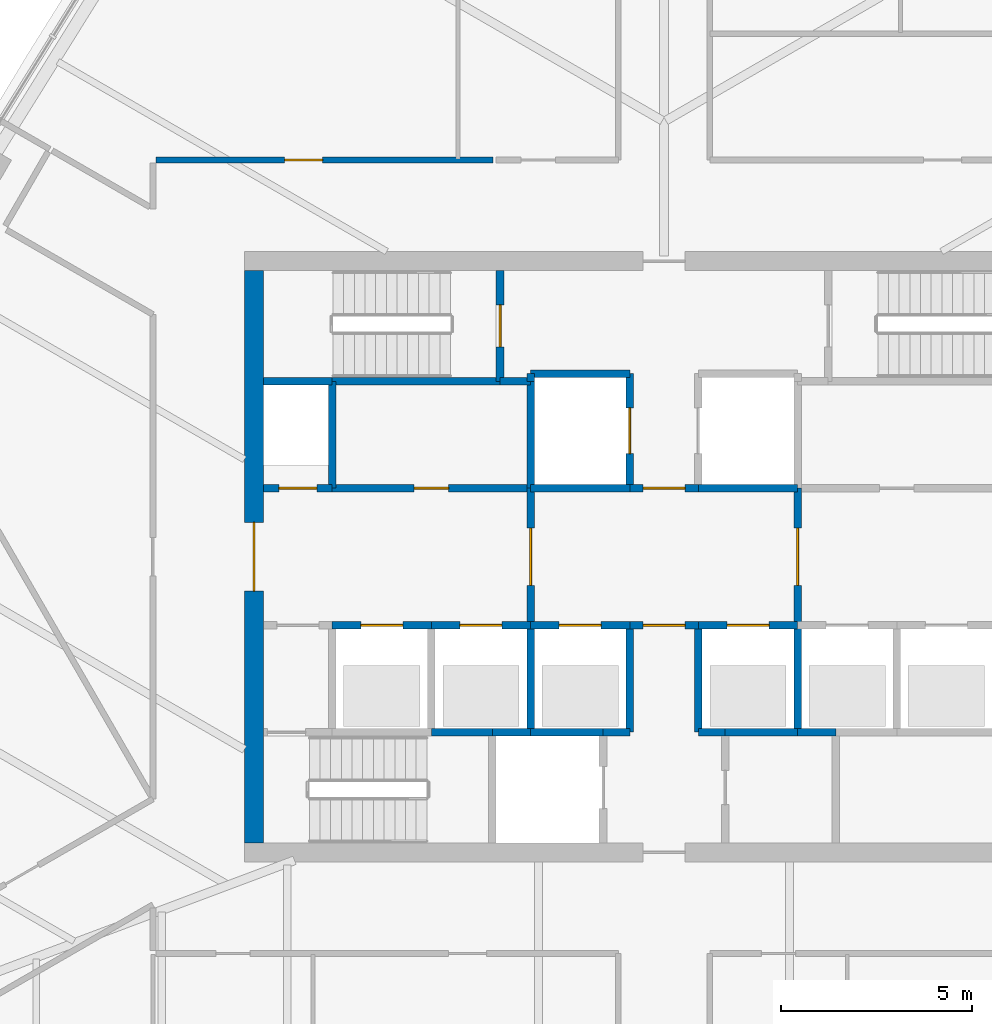
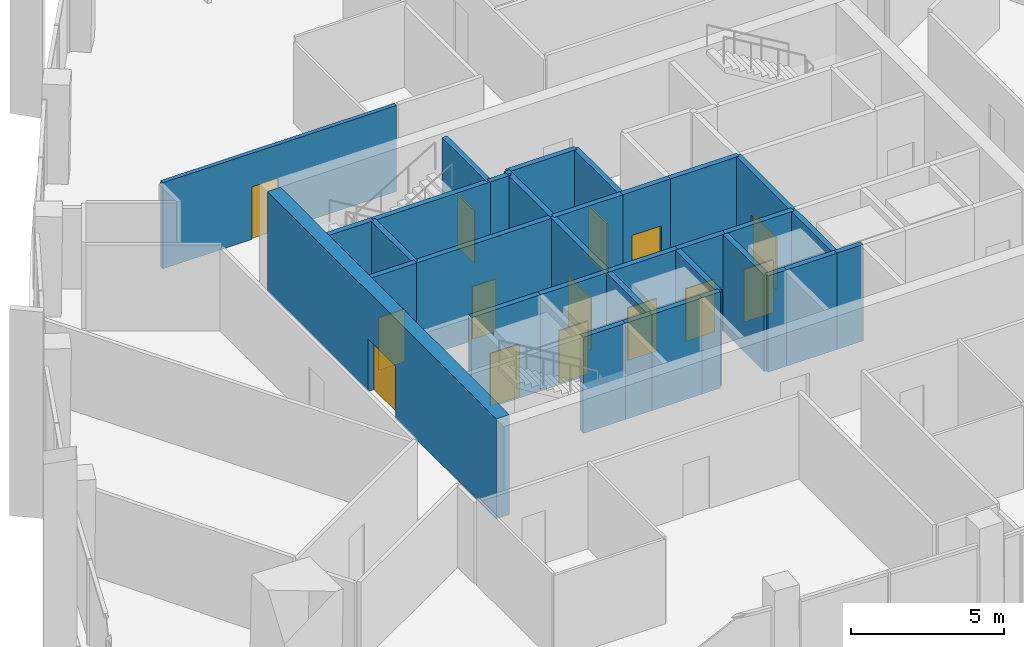
# One storey, part 9 of 18: 34 walls, 14 doors, 14 openings.
"""IFC4 building model written with IfcOpenShell, lengths in metres."""

from ifc_helpers import new_model, si_unit, direction, frame, frame_2d, origin, place, context, subcontext, project, spatial, rectangle, extrude, material, layer, layer_set, type_object, element, fill, save


model = new_model("IFC4")

# Units and contexts
model_context = context("Model", 3, precision=1e-05, world=origin(), true_north=direction((0.0, 1.0)))
body_context = subcontext(model_context, "Body", "Model", "MODEL_VIEW")
ifc_project = project(units=[si_unit("LENGTHUNIT", "METRE"), si_unit("AREAUNIT", "SQUARE_METRE"), si_unit("VOLUMEUNIT", "CUBIC_METRE"), si_unit("PLANEANGLEUNIT", "RADIAN"), si_unit("MASSUNIT", "GRAM", prefix="KILO")], contexts=[model_context])

# Site, building, storey
site_placement = place(None, origin())
site = spatial("IfcSite", under=ifc_project, at=site_placement, CompositionType="ELEMENT")
building_placement = place(site_placement, origin())
building = spatial("IfcBuilding", under=site, at=building_placement, Name="Sierra Prisma Convention Tower", CompositionType="ELEMENT")
storey_placement = place(building_placement, frame((0.0, 0.0, 263.0)))
storey = spatial("IfcBuildingStorey", under=building, at=storey_placement, Name="L59", CompositionType="ELEMENT", Elevation=263.0)

# Wall, opening, door
ifc_material_1 = material(Name="Concrete C30/37", Category="concrete")
ifc_layer_1 = layer(ifc_material_1, 0.199951171875)
ifc_layer_set_1 = layer_set([ifc_layer_1], Name="Core wall RC 200 C30/37")
wall_type_1 = type_object("IfcWallType", Name="Core wall RC 200 C30/37", PredefinedType="SOLIDWALL", material=ifc_layer_set_1)
wall_1_placement = place(storey_placement, frame((-8.699951171875, 1.800048828125, 0.0), z_axis=(0.0, 0.0, 1.0), x_axis=(-1.0, 0.0, 0.0)))
wall_1 = element("IfcWall", 1, at=wall_1_placement, inside=storey, type_object=wall_type_1, Name="Core wall L59 3", PredefinedType="SOLIDWALL", context=body_context, shape_type="SweptSolid", body=[
    extrude(rectangle(XDim=1.800048828125, YDim=0.199951171875, at=frame_2d((0.89990234375, 0.0))), origin(), (0.0, 0.0, 1.0), 3.85009765625),
])
opening_1_placement = place(wall_1_placement, frame((0.39990234375, 0.0, 0.0)))
opening_1 = element("IfcOpeningElement", 2, at=opening_1_placement, cuts=wall_1, Name="Opening L59-D015", PredefinedType="OPENING", context=body_context, shape_type="SweptSolid", body=[
    extrude(rectangle(XDim=1.0, YDim=2.10009765625, at=frame_2d((0.5, 1.050048828125))), frame((0.0, 0.10009765625, 0.0), z_axis=(0.0, -1.0, 0.0), x_axis=(1.0, 0.0, 0.0)), (0.0, 0.0, 1.0), 0.199951171875),
])
ifc_material_2 = material(Name="Steel fire door leaf", Category="steel")
door_type_1 = type_object("IfcDoorType", Name="Door 1000x2100 FD60S", OperationType="SINGLE_SWING_LEFT", PredefinedType="DOOR", material=ifc_material_2)
door_1_placement = place(opening_1_placement, origin())
door_1 = element("IfcDoor", 3, at=door_1_placement, inside=storey, type_object=door_type_1, Name="Door L59 29", OperationType="SINGLE_SWING_LEFT", OverallHeight=2.10009765625, OverallWidth=1.0, PredefinedType="DOOR", context=body_context, shape_type="SweptSolid", body=[
    extrude(rectangle(XDim=1.0, YDim=2.10009765625, at=frame_2d((0.5, 1.050048828125))), frame((0.0, 0.02490234375, 0.0), z_axis=(0.0, -1.0, 0.0), x_axis=(1.0, 0.0, 0.0)), (0.0, 0.0, 1.0), 0.050048828125),
])
fill(opening_1, door_1)

# Wall
wall_2_placement = place(storey_placement, frame((-8.699951171875, 4.60009765625, 0.0), z_axis=(0.0, 0.0, 1.0), x_axis=(-1.0, 0.0, 0.0)))
element("IfcWall", 4, at=wall_2_placement, inside=storey, type_object=wall_type_1, Name="Core wall L59 4", PredefinedType="SOLIDWALL", context=body_context, shape_type="SweptSolid", body=[
    extrude(rectangle(XDim=1.800048828125, YDim=0.199951171875, at=frame_2d((0.89990234375, 0.0))), origin(), (0.0, 0.0, 1.0), 3.85009765625),
])

# Wall, opening, door
wall_3_placement = place(storey_placement, frame((-8.699951171875, -1.800048828125, 0.0), z_axis=(0.0, 0.0, 1.0), x_axis=(1.0, 0.0, 0.0)))
wall_3 = element("IfcWall", 5, at=wall_3_placement, inside=storey, type_object=wall_type_1, Name="Core wall L59 7", PredefinedType="SOLIDWALL", context=body_context, shape_type="SweptSolid", body=[
    extrude(rectangle(XDim=2.599853515625, YDim=0.199951171875, at=frame_2d((1.2998046875, 0.0))), origin(), (0.0, 0.0, 1.0), 3.85009765625),
])
opening_2_placement = place(wall_3_placement, frame((0.75, 0.0, 0.0)))
opening_2 = element("IfcOpeningElement", 6, at=opening_2_placement, cuts=wall_3, Name="Opening L59-D001", PredefinedType="OPENING", context=body_context, shape_type="SweptSolid", body=[
    extrude(rectangle(XDim=1.10009765625, YDim=2.10009765625, at=frame_2d((0.550048828125, 1.050048828125))), frame((0.0, 0.10009765625, 0.0), z_axis=(0.0, -1.0, 0.0), x_axis=(1.0, 0.0, 0.0)), (0.0, 0.0, 1.0), 0.199951171875),
])
ifc_material_3 = material(Name="Steel fire door leaf", Category="steel")
door_type_2 = type_object("IfcDoorType", Name="Door 1100x2100 EI 90 sliding lift landing", OperationType="SLIDING_TO_LEFT", PredefinedType="DOOR", material=ifc_material_3)
door_2_placement = place(opening_2_placement, origin())
door_2 = element("IfcDoor", 7, at=door_2_placement, inside=storey, type_object=door_type_2, Name="Door L59 15", OperationType="SLIDING_TO_RIGHT", OverallHeight=2.10009765625, OverallWidth=1.10009765625, PredefinedType="DOOR", context=body_context, shape_type="SweptSolid", body=[
    extrude(rectangle(XDim=1.10009765625, YDim=2.10009765625, at=frame_2d((0.550048828125, 1.050048828125))), frame((0.0, 0.02490234375, 0.0), z_axis=(0.0, -1.0, 0.0), x_axis=(1.0, 0.0, 0.0)), (0.0, 0.0, 1.0), 0.050048828125),
])
fill(opening_2, door_2)

wall_4_placement = place(storey_placement, frame((-8.699951171875, 1.800048828125, 0.0), z_axis=(0.0, 0.0, 1.0), x_axis=(1.0, 0.0, 0.0)))
wall_4 = element("IfcWall", 8, at=wall_4_placement, inside=storey, type_object=wall_type_1, Name="Core wall L59 8", PredefinedType="SOLIDWALL", context=body_context, shape_type="SweptSolid", body=[
    extrude(rectangle(XDim=5.199951171875, YDim=0.199951171875, at=frame_2d((2.60009765625, 0.0))), origin(), (0.0, 0.0, 1.0), 3.85009765625),
])
opening_3_placement = place(wall_4_placement, frame((2.14990234375, 0.0, 0.0)))
opening_3 = element("IfcOpeningElement", 9, at=opening_3_placement, cuts=wall_4, Name="Opening L59-D021", PredefinedType="OPENING", context=body_context, shape_type="SweptSolid", body=[
    extrude(rectangle(XDim=0.89990234375, YDim=2.10009765625, at=frame_2d((0.449951171875, 1.050048828125))), frame((0.0, 0.10009765625, 0.0), z_axis=(0.0, -1.0, 0.0), x_axis=(1.0, 0.0, 0.0)), (0.0, 0.0, 1.0), 0.199951171875),
])
ifc_material_4 = material(Name="Steel fire door leaf", Category="steel")
door_type_3 = type_object("IfcDoorType", Name="Door 900x2100 FD30S", OperationType="SINGLE_SWING_LEFT", PredefinedType="DOOR", material=ifc_material_4)
door_3_placement = place(opening_3_placement, origin())
door_3 = element("IfcDoor", 10, at=door_3_placement, inside=storey, type_object=door_type_3, Name="Door L59 35", OperationType="SINGLE_SWING_RIGHT", OverallHeight=2.10009765625, OverallWidth=0.89990234375, PredefinedType="DOOR", context=body_context, shape_type="SweptSolid", body=[
    extrude(rectangle(XDim=0.89990234375, YDim=2.10009765625, at=frame_2d((0.449951171875, 1.050048828125))), frame((0.0, 0.02490234375, 0.0), z_axis=(0.0, -1.0, 0.0), x_axis=(1.0, 0.0, 0.0)), (0.0, 0.0, 1.0), 0.050048828125),
])
fill(opening_3, door_3)

# Walls
wall_5_placement = place(storey_placement, frame((-8.699951171875, 4.60009765625, 0.0), z_axis=(0.0, 0.0, 1.0), x_axis=(0.0, -1.0, 0.0)))
element("IfcWall", 11, at=wall_5_placement, inside=storey, type_object=wall_type_1, Name="Core wall L59 9", PredefinedType="SOLIDWALL", context=body_context, shape_type="SweptSolid", body=[
    extrude(rectangle(XDim=2.800048828125, YDim=0.199951171875, at=frame_2d((1.39990234375, 0.0))), origin(), (0.0, 0.0, 1.0), 3.85009765625),
])
wall_6_placement = place(storey_placement, frame((-4.300048828125, 4.60009765625, 0.0), z_axis=(0.0, 0.0, 1.0), x_axis=(-1.0, 0.0, 0.0)))
element("IfcWall", 12, at=wall_6_placement, inside=storey, type_object=wall_type_1, Name="Core wall L59 10", PredefinedType="SOLIDWALL", context=body_context, shape_type="SweptSolid", body=[
    extrude(rectangle(XDim=4.39990234375, YDim=0.199951171875, at=frame_2d((2.199951171875, 0.0))), origin(), (0.0, 0.0, 1.0), 3.85009765625),
])
wall_7_placement = place(storey_placement, frame((-6.10009765625, -4.60009765625, 0.0), z_axis=(0.0, 0.0, 1.0), x_axis=(1.0, 0.0, 0.0)))
element("IfcWall", 13, at=wall_7_placement, inside=storey, type_object=wall_type_1, Name="Core wall L59 11", PredefinedType="SOLIDWALL", context=body_context, shape_type="SweptSolid", body=[
    extrude(rectangle(XDim=1.60009765625, YDim=0.199951171875, at=frame_2d((0.800048828125, 0.0))), origin(), (0.0, 0.0, 1.0), 3.85009765625),
])

# Wall, opening, door
wall_8_placement = place(storey_placement, frame((-6.10009765625, -1.800048828125, 0.0), z_axis=(0.0, 0.0, 1.0), x_axis=(1.0, 0.0, 0.0)))
wall_8 = element("IfcWall", 14, at=wall_8_placement, inside=storey, type_object=wall_type_1, Name="Core wall L59 13", PredefinedType="SOLIDWALL", context=body_context, shape_type="SweptSolid", body=[
    extrude(rectangle(XDim=2.60009765625, YDim=0.199951171875, at=frame_2d((1.300048828125, 0.0))), origin(), (0.0, 0.0, 1.0), 3.85009765625),
])
opening_4_placement = place(wall_8_placement, frame((0.75, 0.0, 0.0)))
opening_4 = element("IfcOpeningElement", 15, at=opening_4_placement, cuts=wall_8, Name="Opening L59-D002", PredefinedType="OPENING", context=body_context, shape_type="SweptSolid", body=[
    extrude(rectangle(XDim=1.10009765625, YDim=2.10009765625, at=frame_2d((0.550048828125, 1.050048828125))), frame((0.0, 0.10009765625, 0.0), z_axis=(0.0, -1.0, 0.0), x_axis=(1.0, 0.0, 0.0)), (0.0, 0.0, 1.0), 0.199951171875),
])
door_4_placement = place(opening_4_placement, origin())
door_4 = element("IfcDoor", 16, at=door_4_placement, inside=storey, type_object=door_type_2, Name="Door L59 16", OperationType="SLIDING_TO_RIGHT", OverallHeight=2.10009765625, OverallWidth=1.10009765625, PredefinedType="DOOR", context=body_context, shape_type="SweptSolid", body=[
    extrude(rectangle(XDim=1.10009765625, YDim=2.10009765625, at=frame_2d((0.550048828125, 1.050048828125))), frame((0.0, 0.02490234375, 0.0), z_axis=(0.0, -1.0, 0.0), x_axis=(1.0, 0.0, 0.0)), (0.0, 0.0, 1.0), 0.050048828125),
])
fill(opening_4, door_4)

# Walls
wall_9_placement = place(storey_placement, frame((-4.5, -4.60009765625, 0.0), z_axis=(0.0, 0.0, 1.0), x_axis=(1.0, 0.0, 0.0)))
element("IfcWall", 17, at=wall_9_placement, inside=storey, type_object=wall_type_1, Name="Core wall L59 15", PredefinedType="SOLIDWALL", context=body_context, shape_type="SweptSolid", body=[
    extrude(rectangle(XDim=1.0, YDim=0.199951171875, at=frame_2d((0.5, 0.0))), origin(), (0.0, 0.0, 1.0), 3.85009765625),
])
wall_10_placement = place(storey_placement, frame((-3.5, 4.60009765625, 0.0), z_axis=(0.0, 0.0, 1.0), x_axis=(-1.0, 0.0, 0.0)))
element("IfcWall", 18, at=wall_10_placement, inside=storey, type_object=wall_type_1, Name="Core wall L59 16", PredefinedType="SOLIDWALL", context=body_context, shape_type="SweptSolid", body=[
    extrude(rectangle(XDim=0.800048828125, YDim=0.199951171875, at=frame_2d((0.39990234375, 0.0))), origin(), (0.0, 0.0, 1.0), 3.85009765625),
])

# Wall, opening, door
wall_11_placement = place(storey_placement, frame((-4.300048828125, 4.60009765625, 0.0), z_axis=(0.0, 0.0, 1.0), x_axis=(0.0, 1.0, 0.0)))
wall_11 = element("IfcWall", 19, at=wall_11_placement, inside=storey, type_object=wall_type_1, Name="Core wall L59 17", PredefinedType="SOLIDWALL", context=body_context, shape_type="SweptSolid", body=[
    extrude(rectangle(XDim=2.89990234375, YDim=0.199951171875, at=frame_2d((1.449951171875, 0.0))), origin(), (0.0, 0.0, 1.0), 3.85009765625),
])
opening_5_placement = place(wall_11_placement, frame((0.89990234375, 0.0, 0.0)))
opening_5 = element("IfcOpeningElement", 20, at=opening_5_placement, cuts=wall_11, Name="Opening L59-D018", PredefinedType="OPENING", context=body_context, shape_type="SweptSolid", body=[
    extrude(rectangle(XDim=1.10009765625, YDim=2.10009765625, at=frame_2d((0.550048828125, 1.050048828125))), frame((0.0, 0.10009765625, 0.0), z_axis=(0.0, -1.0, 0.0), x_axis=(1.0, 0.0, 0.0)), (0.0, 0.0, 1.0), 0.199951171875),
])
ifc_material_5 = material(Name="Steel fire door leaf", Category="steel")
door_type_4 = type_object("IfcDoorType", Name="Door 1100x2100 FD90S", OperationType="SINGLE_SWING_LEFT", PredefinedType="DOOR", material=ifc_material_5)
door_5_placement = place(opening_5_placement, origin())
door_5 = element("IfcDoor", 21, at=door_5_placement, inside=storey, type_object=door_type_4, Name="Door L59 32", OperationType="SINGLE_SWING_LEFT", OverallHeight=2.10009765625, OverallWidth=1.10009765625, PredefinedType="DOOR", context=body_context, shape_type="SweptSolid", body=[
    extrude(rectangle(XDim=1.10009765625, YDim=2.10009765625, at=frame_2d((0.550048828125, 1.050048828125))), frame((0.0, 0.02490234375, 0.0), z_axis=(0.0, -1.0, 0.0), x_axis=(1.0, 0.0, 0.0)), (0.0, 0.0, 1.0), 0.050048828125),
])
fill(opening_5, door_5)

# Walls
wall_12_placement = place(storey_placement, frame((-3.5, -4.60009765625, 0.0), z_axis=(0.0, 0.0, 1.0), x_axis=(1.0, 0.0, 0.0)))
element("IfcWall", 22, at=wall_12_placement, inside=storey, type_object=wall_type_1, Name="Core wall L59 18", PredefinedType="SOLIDWALL", context=body_context, shape_type="SweptSolid", body=[
    extrude(rectangle(XDim=1.89990234375, YDim=0.199951171875, at=frame_2d((0.949951171875, 0.0))), origin(), (0.0, 0.0, 1.0), 3.85009765625),
])
wall_13_placement = place(storey_placement, frame((-3.5, -4.60009765625, 0.0), z_axis=(0.0, 0.0, 1.0), x_axis=(0.0, 1.0, 0.0)))
element("IfcWall", 23, at=wall_13_placement, inside=storey, type_object=wall_type_1, Name="Core wall L59 19", PredefinedType="SOLIDWALL", context=body_context, shape_type="SweptSolid", body=[
    extrude(rectangle(XDim=2.800048828125, YDim=0.199951171875, at=frame_2d((1.39990234375, 0.0))), origin(), (0.0, 0.0, 1.0), 3.85009765625),
])

# Wall, opening, door
wall_14_placement = place(storey_placement, frame((-3.5, -1.800048828125, 0.0), z_axis=(0.0, 0.0, 1.0), x_axis=(1.0, 0.0, 0.0)))
wall_14 = element("IfcWall", 24, at=wall_14_placement, inside=storey, type_object=wall_type_1, Name="Core wall L59 20", PredefinedType="SOLIDWALL", context=body_context, shape_type="SweptSolid", body=[
    extrude(rectangle(XDim=2.60009765625, YDim=0.199951171875, at=frame_2d((1.300048828125, 0.0))), origin(), (0.0, 0.0, 1.0), 3.85009765625),
])
opening_6_placement = place(wall_14_placement, frame((0.75, 0.0, 0.0)))
opening_6 = element("IfcOpeningElement", 25, at=opening_6_placement, cuts=wall_14, Name="Opening L59-D003", PredefinedType="OPENING", context=body_context, shape_type="SweptSolid", body=[
    extrude(rectangle(XDim=1.10009765625, YDim=2.10009765625, at=frame_2d((0.550048828125, 1.050048828125))), frame((0.0, 0.10009765625, 0.0), z_axis=(0.0, -1.0, 0.0), x_axis=(1.0, 0.0, 0.0)), (0.0, 0.0, 1.0), 0.199951171875),
])
door_6_placement = place(opening_6_placement, origin())
door_6 = element("IfcDoor", 26, at=door_6_placement, inside=storey, type_object=door_type_2, Name="Door L59 17", OperationType="SLIDING_TO_LEFT", OverallHeight=2.10009765625, OverallWidth=1.10009765625, PredefinedType="DOOR", context=body_context, shape_type="SweptSolid", body=[
    extrude(rectangle(XDim=1.10009765625, YDim=2.10009765625, at=frame_2d((0.550048828125, 1.050048828125))), frame((0.0, 0.02490234375, 0.0), z_axis=(0.0, -1.0, 0.0), x_axis=(1.0, 0.0, 0.0)), (0.0, 0.0, 1.0), 0.050048828125),
])
fill(opening_6, door_6)

wall_15_placement = place(storey_placement, frame((-3.5, 1.800048828125, 0.0), z_axis=(0.0, 0.0, 1.0), x_axis=(0.0, -1.0, 0.0)))
wall_15 = element("IfcWall", 27, at=wall_15_placement, inside=storey, type_object=wall_type_1, Name="Core wall L59 21", PredefinedType="SOLIDWALL", context=body_context, shape_type="SweptSolid", body=[
    extrude(rectangle(XDim=3.60009765625, YDim=0.199951171875, at=frame_2d((1.800048828125, 0.0))), origin(), (0.0, 0.0, 1.0), 3.85009765625),
])
opening_7_placement = place(wall_15_placement, frame((1.050048828125, 0.0, 0.0)))
opening_7 = element("IfcOpeningElement", 28, at=opening_7_placement, cuts=wall_15, Name="Opening L59-D010", PredefinedType="OPENING", context=body_context, shape_type="SweptSolid", body=[
    extrude(rectangle(XDim=1.5, YDim=2.10009765625, at=frame_2d((0.75, 1.050048828125))), frame((0.0, 0.10009765625, 0.0), z_axis=(0.0, -1.0, 0.0), x_axis=(1.0, 0.0, 0.0)), (0.0, 0.0, 1.0), 0.199951171875),
])
ifc_material_6 = material(Name="Steel fire door leaf", Category="steel")
door_type_5 = type_object("IfcDoorType", Name="Door 1500x2100 FD30S", OperationType="DOUBLE_DOOR_SINGLE_SWING", PredefinedType="DOOR", material=ifc_material_6)
door_7_placement = place(opening_7_placement, origin())
door_7 = element("IfcDoor", 29, at=door_7_placement, inside=storey, type_object=door_type_5, Name="Door L59 24", OperationType="DOUBLE_DOOR_SINGLE_SWING", OverallHeight=2.10009765625, OverallWidth=1.5, PredefinedType="DOOR", context=body_context, shape_type="SweptSolid", body=[
    extrude(rectangle(XDim=1.5, YDim=2.10009765625, at=frame_2d((0.75, 1.050048828125))), frame((0.0, 0.02490234375, 0.0), z_axis=(0.0, -1.0, 0.0), x_axis=(1.0, 0.0, 0.0)), (0.0, 0.0, 1.0), 0.050048828125),
])
fill(opening_7, door_7)

# Walls
wall_16_placement = place(storey_placement, frame((-0.89990234375, 1.800048828125, 0.0), z_axis=(0.0, 0.0, 1.0), x_axis=(-1.0, 0.0, 0.0)))
element("IfcWall", 30, at=wall_16_placement, inside=storey, type_object=wall_type_1, Name="Core wall L59 22", PredefinedType="SOLIDWALL", context=body_context, shape_type="SweptSolid", body=[
    extrude(rectangle(XDim=2.60009765625, YDim=0.199951171875, at=frame_2d((1.300048828125, 0.0))), origin(), (0.0, 0.0, 1.0), 3.85009765625),
])
wall_17_placement = place(storey_placement, frame((-3.5, 1.800048828125, 0.0), z_axis=(0.0, 0.0, 1.0), x_axis=(0.0, 1.0, 0.0)))
element("IfcWall", 31, at=wall_17_placement, inside=storey, type_object=wall_type_1, Name="Core wall L59 23", PredefinedType="SOLIDWALL", context=body_context, shape_type="SweptSolid", body=[
    extrude(rectangle(XDim=2.800048828125, YDim=0.199951171875, at=frame_2d((1.39990234375, 0.0))), origin(), (0.0, 0.0, 1.0), 3.85009765625),
])

# Wall, opening, door
wall_18_placement = place(storey_placement, frame((-0.89990234375, 1.800048828125, 0.0), z_axis=(0.0, 0.0, 1.0), x_axis=(0.0, 1.0, 0.0)))
wall_18 = element("IfcWall", 32, at=wall_18_placement, inside=storey, type_object=wall_type_1, Name="Core wall L59 24", PredefinedType="SOLIDWALL", context=body_context, shape_type="SweptSolid", body=[
    extrude(rectangle(XDim=3.0, YDim=0.199951171875, at=frame_2d((1.5, 0.0))), origin(), (0.0, 0.0, 1.0), 3.85009765625),
])
opening_8_placement = place(wall_18_placement, frame((0.89990234375, 0.0, 0.0)))
opening_8 = element("IfcOpeningElement", 33, at=opening_8_placement, cuts=wall_18, Name="Opening L59-D007", PredefinedType="OPENING", context=body_context, shape_type="SweptSolid", body=[
    extrude(rectangle(XDim=1.199951171875, YDim=2.10009765625, at=frame_2d((0.60009765625, 1.050048828125))), frame((0.0, 0.10009765625, 0.0), z_axis=(0.0, -1.0, 0.0), x_axis=(1.0, 0.0, 0.0)), (0.0, 0.0, 1.0), 0.199951171875),
])
ifc_material_7 = material(Name="Steel fire door leaf", Category="steel")
door_type_6 = type_object("IfcDoorType", Name="Door 1200x2100 EI 90 sliding lift landing", OperationType="SLIDING_TO_LEFT", PredefinedType="DOOR", material=ifc_material_7)
door_8_placement = place(opening_8_placement, origin())
door_8 = element("IfcDoor", 34, at=door_8_placement, inside=storey, type_object=door_type_6, Name="Door L59 21", OperationType="SLIDING_TO_LEFT", OverallHeight=2.10009765625, OverallWidth=1.199951171875, PredefinedType="DOOR", context=body_context, shape_type="SweptSolid", body=[
    extrude(rectangle(XDim=1.199951171875, YDim=2.10009765625, at=frame_2d((0.60009765625, 1.050048828125))), frame((0.0, 0.02490234375, 0.0), z_axis=(0.0, -1.0, 0.0), x_axis=(1.0, 0.0, 0.0)), (0.0, 0.0, 1.0), 0.050048828125),
])
fill(opening_8, door_8)

# Walls
wall_19_placement = place(storey_placement, frame((-0.89990234375, 4.800048828125, 0.0), z_axis=(0.0, 0.0, 1.0), x_axis=(-1.0, 0.0, 0.0)))
element("IfcWall", 35, at=wall_19_placement, inside=storey, type_object=wall_type_1, Name="Core wall L59 25", PredefinedType="SOLIDWALL", context=body_context, shape_type="SweptSolid", body=[
    extrude(rectangle(XDim=2.60009765625, YDim=0.199951171875, at=frame_2d((1.300048828125, 0.0))), origin(), (0.0, 0.0, 1.0), 3.85009765625),
])
wall_20_placement = place(storey_placement, frame((-3.5, 4.800048828125, 0.0), z_axis=(0.0, 0.0, 1.0), x_axis=(0.0, -1.0, 0.0)))
element("IfcWall", 36, at=wall_20_placement, inside=storey, type_object=wall_type_1, Name="Core wall L59 26", PredefinedType="SOLIDWALL", context=body_context, shape_type="SweptSolid", body=[
    extrude(rectangle(XDim=0.199951171875, YDim=0.199951171875, at=frame_2d((0.10009765625, 0.0))), origin(), (0.0, 0.0, 1.0), 3.85009765625),
])
wall_21_placement = place(storey_placement, frame((-1.60009765625, -4.60009765625, 0.0), z_axis=(0.0, 0.0, 1.0), x_axis=(1.0, 0.0, 0.0)))
element("IfcWall", 37, at=wall_21_placement, inside=storey, type_object=wall_type_1, Name="Core wall L59 28", PredefinedType="SOLIDWALL", context=body_context, shape_type="SweptSolid", body=[
    extrude(rectangle(XDim=0.7001953125, YDim=0.199951171875, at=frame_2d((0.35009765625, 0.0))), origin(), (0.0, 0.0, 1.0), 3.85009765625),
])
wall_22_placement = place(storey_placement, frame((-0.89990234375, -4.60009765625, 0.0), z_axis=(0.0, 0.0, 1.0), x_axis=(0.0, 1.0, 0.0)))
element("IfcWall", 38, at=wall_22_placement, inside=storey, type_object=wall_type_1, Name="Core wall L59 29", PredefinedType="SOLIDWALL", context=body_context, shape_type="SweptSolid", body=[
    extrude(rectangle(XDim=2.800048828125, YDim=0.199951171875, at=frame_2d((1.39990234375, 0.0))), origin(), (0.0, 0.0, 1.0), 3.85009765625),
])

# Wall, opening, door
wall_23_placement = place(storey_placement, frame((-0.89990234375, -1.800048828125, 0.0), z_axis=(0.0, 0.0, 1.0), x_axis=(1.0, 0.0, 0.0)))
wall_23 = element("IfcWall", 39, at=wall_23_placement, inside=storey, type_object=wall_type_1, Name="Core wall L59 30", PredefinedType="SOLIDWALL", context=body_context, shape_type="SweptSolid", body=[
    extrude(rectangle(XDim=1.7998046875, YDim=0.199951171875, at=frame_2d((0.89990234375, 0.0))), origin(), (0.0, 0.0, 1.0), 3.85009765625),
])
opening_9_placement = place(wall_23_placement, frame((0.35009765625, 0.0, 0.0)))
opening_9 = element("IfcOpeningElement", 40, at=opening_9_placement, cuts=wall_23, Name="Opening L59-D014", PredefinedType="OPENING", context=body_context, shape_type="SweptSolid", body=[
    extrude(rectangle(XDim=1.10009765625, YDim=2.10009765625, at=frame_2d((0.550048828125, 1.050048828125))), frame((0.0, 0.10009765625, 0.0), z_axis=(0.0, -1.0, 0.0), x_axis=(1.0, 0.0, 0.0)), (0.0, 0.0, 1.0), 0.199951171875),
])
ifc_material_8 = material(Name="Steel fire door leaf", Category="steel")
door_type_7 = type_object("IfcDoorType", Name="Door 1100x2100 FD30S", OperationType="SINGLE_SWING_LEFT", PredefinedType="DOOR", material=ifc_material_8)
door_9_placement = place(opening_9_placement, origin())
door_9 = element("IfcDoor", 41, at=door_9_placement, inside=storey, type_object=door_type_7, Name="Door L59 28", OperationType="SINGLE_SWING_RIGHT", OverallHeight=2.10009765625, OverallWidth=1.10009765625, PredefinedType="DOOR", context=body_context, shape_type="SweptSolid", body=[
    extrude(rectangle(XDim=1.10009765625, YDim=2.10009765625, at=frame_2d((0.550048828125, 1.050048828125))), frame((0.0, 0.02490234375, 0.0), z_axis=(0.0, -1.0, 0.0), x_axis=(1.0, 0.0, 0.0)), (0.0, 0.0, 1.0), 0.050048828125),
])
fill(opening_9, door_9)

wall_24_placement = place(storey_placement, frame((0.89990234375, 1.800048828125, 0.0), z_axis=(0.0, 0.0, 1.0), x_axis=(-1.0, 0.0, 0.0)))
wall_24 = element("IfcWall", 42, at=wall_24_placement, inside=storey, type_object=wall_type_1, Name="Core wall L59 31", PredefinedType="SOLIDWALL", context=body_context, shape_type="SweptSolid", body=[
    extrude(rectangle(XDim=1.7998046875, YDim=0.199951171875, at=frame_2d((0.89990234375, 0.0))), origin(), (0.0, 0.0, 1.0), 3.85009765625),
])
opening_10_placement = place(wall_24_placement, frame((0.35009765625, 0.0, 0.0)))
opening_10 = element("IfcOpeningElement", 43, at=opening_10_placement, cuts=wall_24, Name="Opening L59-D013", PredefinedType="OPENING", context=body_context, shape_type="SweptSolid", body=[
    extrude(rectangle(XDim=1.10009765625, YDim=2.10009765625, at=frame_2d((0.550048828125, 1.050048828125))), frame((0.0, 0.10009765625, 0.0), z_axis=(0.0, -1.0, 0.0), x_axis=(1.0, 0.0, 0.0)), (0.0, 0.0, 1.0), 0.199951171875),
])
ifc_material_9 = material(Name="Steel fire door leaf", Category="steel")
door_type_8 = type_object("IfcDoorType", Name="Door 1100x2100 FD60S", OperationType="SINGLE_SWING_LEFT", PredefinedType="DOOR", material=ifc_material_9)
door_10_placement = place(opening_10_placement, origin())
door_10 = element("IfcDoor", 44, at=door_10_placement, inside=storey, type_object=door_type_8, Name="Door L59 27", OperationType="SINGLE_SWING_RIGHT", OverallHeight=2.10009765625, OverallWidth=1.10009765625, PredefinedType="DOOR", context=body_context, shape_type="SweptSolid", body=[
    extrude(rectangle(XDim=1.10009765625, YDim=2.10009765625, at=frame_2d((0.550048828125, 1.050048828125))), frame((0.0, 0.02490234375, 0.0), z_axis=(0.0, -1.0, 0.0), x_axis=(1.0, 0.0, 0.0)), (0.0, 0.0, 1.0), 0.050048828125),
])
fill(opening_10, door_10)

wall_25_placement = place(storey_placement, frame((0.89990234375, -1.800048828125, 0.0), z_axis=(0.0, 0.0, 1.0), x_axis=(1.0, 0.0, 0.0)))
wall_25 = element("IfcWall", 45, at=wall_25_placement, inside=storey, type_object=wall_type_1, Name="Core wall L59 32", PredefinedType="SOLIDWALL", context=body_context, shape_type="SweptSolid", body=[
    extrude(rectangle(XDim=2.60009765625, YDim=0.199951171875, at=frame_2d((1.300048828125, 0.0))), origin(), (0.0, 0.0, 1.0), 3.85009765625),
])
opening_11_placement = place(wall_25_placement, frame((0.75, 0.0, 0.0)))
opening_11 = element("IfcOpeningElement", 46, at=opening_11_placement, cuts=wall_25, Name="Opening L59-D004", PredefinedType="OPENING", context=body_context, shape_type="SweptSolid", body=[
    extrude(rectangle(XDim=1.10009765625, YDim=2.10009765625, at=frame_2d((0.550048828125, 1.050048828125))), frame((0.0, 0.10009765625, 0.0), z_axis=(0.0, -1.0, 0.0), x_axis=(1.0, 0.0, 0.0)), (0.0, 0.0, 1.0), 0.199951171875),
])
door_11_placement = place(opening_11_placement, origin())
door_11 = element("IfcDoor", 47, at=door_11_placement, inside=storey, type_object=door_type_2, Name="Door L59 18", OperationType="SLIDING_TO_LEFT", OverallHeight=2.10009765625, OverallWidth=1.10009765625, PredefinedType="DOOR", context=body_context, shape_type="SweptSolid", body=[
    extrude(rectangle(XDim=1.10009765625, YDim=2.10009765625, at=frame_2d((0.550048828125, 1.050048828125))), frame((0.0, 0.02490234375, 0.0), z_axis=(0.0, -1.0, 0.0), x_axis=(1.0, 0.0, 0.0)), (0.0, 0.0, 1.0), 0.050048828125),
])
fill(opening_11, door_11)

# Walls
wall_26_placement = place(storey_placement, frame((0.89990234375, -1.800048828125, 0.0), z_axis=(0.0, 0.0, 1.0), x_axis=(0.0, -1.0, 0.0)))
element("IfcWall", 48, at=wall_26_placement, inside=storey, type_object=wall_type_1, Name="Core wall L59 33", PredefinedType="SOLIDWALL", context=body_context, shape_type="SweptSolid", body=[
    extrude(rectangle(XDim=2.800048828125, YDim=0.199951171875, at=frame_2d((1.39990234375, 0.0))), origin(), (0.0, 0.0, 1.0), 3.85009765625),
])
wall_27_placement = place(storey_placement, frame((0.89990234375, -4.60009765625, 0.0), z_axis=(0.0, 0.0, 1.0), x_axis=(1.0, 0.0, 0.0)))
element("IfcWall", 49, at=wall_27_placement, inside=storey, type_object=wall_type_1, Name="Core wall L59 34", PredefinedType="SOLIDWALL", context=body_context, shape_type="SweptSolid", body=[
    extrude(rectangle(XDim=0.7001953125, YDim=0.199951171875, at=frame_2d((0.35009765625, 0.0))), origin(), (0.0, 0.0, 1.0), 3.85009765625),
])
wall_28_placement = place(storey_placement, frame((3.5, 1.800048828125, 0.0), z_axis=(0.0, 0.0, 1.0), x_axis=(-1.0, 0.0, 0.0)))
element("IfcWall", 50, at=wall_28_placement, inside=storey, type_object=wall_type_1, Name="Core wall L59 35", PredefinedType="SOLIDWALL", context=body_context, shape_type="SweptSolid", body=[
    extrude(rectangle(XDim=2.60009765625, YDim=0.199951171875, at=frame_2d((1.300048828125, 0.0))), origin(), (0.0, 0.0, 1.0), 3.85009765625),
])
wall_29_placement = place(storey_placement, frame((3.5, -4.60009765625, 0.0), z_axis=(0.0, 0.0, 1.0), x_axis=(-1.0, 0.0, 0.0)))
element("IfcWall", 51, at=wall_29_placement, inside=storey, type_object=wall_type_1, Name="Core wall L59 40", PredefinedType="SOLIDWALL", context=body_context, shape_type="SweptSolid", body=[
    extrude(rectangle(XDim=1.89990234375, YDim=0.199951171875, at=frame_2d((0.949951171875, 0.0))), origin(), (0.0, 0.0, 1.0), 3.85009765625),
])
wall_30_placement = place(storey_placement, frame((4.5, -4.60009765625, 0.0), z_axis=(0.0, 0.0, 1.0), x_axis=(-1.0, 0.0, 0.0)))
element("IfcWall", 52, at=wall_30_placement, inside=storey, type_object=wall_type_1, Name="Core wall L59 41", PredefinedType="SOLIDWALL", context=body_context, shape_type="SweptSolid", body=[
    extrude(rectangle(XDim=1.0, YDim=0.199951171875, at=frame_2d((0.5, 0.0))), origin(), (0.0, 0.0, 1.0), 3.85009765625),
])
wall_31_placement = place(storey_placement, frame((3.5, -4.60009765625, 0.0), z_axis=(0.0, 0.0, 1.0), x_axis=(0.0, 1.0, 0.0)))
element("IfcWall", 53, at=wall_31_placement, inside=storey, type_object=wall_type_1, Name="Core wall L59 42", PredefinedType="SOLIDWALL", context=body_context, shape_type="SweptSolid", body=[
    extrude(rectangle(XDim=2.800048828125, YDim=0.199951171875, at=frame_2d((1.39990234375, 0.0))), origin(), (0.0, 0.0, 1.0), 3.85009765625),
])

# Wall, opening, door
wall_32_placement = place(storey_placement, frame((3.5, -1.800048828125, 0.0), z_axis=(0.0, 0.0, 1.0), x_axis=(0.0, 1.0, 0.0)))
wall_32 = element("IfcWall", 54, at=wall_32_placement, inside=storey, type_object=wall_type_1, Name="Core wall L59 44", PredefinedType="SOLIDWALL", context=body_context, shape_type="SweptSolid", body=[
    extrude(rectangle(XDim=3.60009765625, YDim=0.199951171875, at=frame_2d((1.800048828125, 0.0))), origin(), (0.0, 0.0, 1.0), 3.85009765625),
])
opening_12_placement = place(wall_32_placement, frame((1.050048828125, 0.0, 0.0)))
opening_12 = element("IfcOpeningElement", 55, at=opening_12_placement, cuts=wall_32, Name="Opening L59-D011", PredefinedType="OPENING", context=body_context, shape_type="SweptSolid", body=[
    extrude(rectangle(XDim=1.5, YDim=2.10009765625, at=frame_2d((0.75, 1.050048828125))), frame((0.0, 0.10009765625, 0.0), z_axis=(0.0, -1.0, 0.0), x_axis=(1.0, 0.0, 0.0)), (0.0, 0.0, 1.0), 0.199951171875),
])
door_12_placement = place(opening_12_placement, origin())
door_12 = element("IfcDoor", 56, at=door_12_placement, inside=storey, type_object=door_type_5, Name="Door L59 25", OperationType="DOUBLE_DOOR_SINGLE_SWING", OverallHeight=2.10009765625, OverallWidth=1.5, PredefinedType="DOOR", context=body_context, shape_type="SweptSolid", body=[
    extrude(rectangle(XDim=1.5, YDim=2.10009765625, at=frame_2d((0.75, 1.050048828125))), frame((0.0, 0.02490234375, 0.0), z_axis=(0.0, -1.0, 0.0), x_axis=(1.0, 0.0, 0.0)), (0.0, 0.0, 1.0), 0.050048828125),
])
fill(opening_12, door_12)

ifc_material_10 = material(Name="Concrete C50/60", Category="concrete")
ifc_layer_2 = layer(ifc_material_10, 0.5)
ifc_layer_set_2 = layer_set([ifc_layer_2], Name="Core wall RC 500 C50/60")
wall_type_2 = type_object("IfcWallType", Name="Core wall RC 500 C50/60", PredefinedType="SHEAR", material=ifc_layer_set_2)
wall_33_placement = place(storey_placement, frame((-10.75, -7.5, 0.0), z_axis=(0.0, 0.0, 1.0), x_axis=(0.0, 1.0, 0.0)))
wall_33 = element("IfcWall", 57, at=wall_33_placement, inside=storey, type_object=wall_type_2, Name="Core wall W L59", PredefinedType="SHEAR", context=body_context, shape_type="SweptSolid", body=[
    extrude(rectangle(XDim=15.0, YDim=0.5, at=frame_2d((7.5, 0.0))), origin(), (0.0, 0.0, 1.0), 4.0),
])
opening_13_placement = place(wall_33_placement, frame((6.60009765625, 0.0, 0.0)))
opening_13 = element("IfcOpeningElement", 58, at=opening_13_placement, cuts=wall_33, Name="Opening L59-D042", PredefinedType="OPENING", context=body_context, shape_type="SweptSolid", body=[
    extrude(rectangle(XDim=1.800048828125, YDim=2.10009765625, at=frame_2d((0.89990234375, 1.050048828125))), frame((0.0, 0.25, 0.0), z_axis=(0.0, -1.0, 0.0), x_axis=(1.0, 0.0, 0.0)), (0.0, 0.0, 1.0), 0.5),
])
ifc_material_11 = material(Name="Steel fire door leaf", Category="steel")
door_type_9 = type_object("IfcDoorType", Name="Door 1800x2100 FD60S", OperationType="DOUBLE_DOOR_SINGLE_SWING", PredefinedType="DOOR", material=ifc_material_11)
door_13_placement = place(opening_13_placement, origin())
door_13 = element("IfcDoor", 59, at=door_13_placement, inside=storey, type_object=door_type_9, Name="Door L59 39", OperationType="DOUBLE_DOOR_SINGLE_SWING", OverallHeight=2.10009765625, OverallWidth=1.800048828125, PredefinedType="DOOR", context=body_context, shape_type="SweptSolid", body=[
    extrude(rectangle(XDim=1.800048828125, YDim=2.10009765625, at=frame_2d((0.89990234375, 1.050048828125))), frame((0.0, 0.02490234375, 0.0), z_axis=(0.0, -1.0, 0.0), x_axis=(1.0, 0.0, 0.0)), (0.0, 0.0, 1.0), 0.050048828125),
])
fill(opening_13, door_13)

ifc_material_12 = material(Name="Gypsum board partition", Category="gypsum")
ifc_layer_3 = layer(ifc_material_12, 0.14990234375)
ifc_layer_set_3 = layer_set([ifc_layer_3], Name="Corridor wall 150 gypsum EI 60")
wall_type_3 = type_object("IfcWallType", Name="Corridor wall 150 gypsum EI 60", PredefinedType="PARTITIONING", material=ifc_layer_set_3)
wall_34_placement = place(storey_placement, frame((-4.47998046875, 10.39990234375, 0.0), z_axis=(0.0, 0.0, 1.0), x_axis=(-1.0, 0.0, 0.0)))
wall_34 = element("IfcWall", 60, at=wall_34_placement, inside=storey, type_object=wall_type_3, Name="Partition L59 corr 12", PredefinedType="PARTITIONING", context=body_context, shape_type="SweptSolid", body=[
    extrude(rectangle(XDim=8.840087890625, YDim=0.14990234375, at=frame_2d((4.419921875, 0.0))), origin(), (0.0, 0.0, 1.0), 3.443115234375),
])
opening_14_placement = place(wall_34_placement, frame((4.469970703125, 0.0, 0.0)))
opening_14 = element("IfcOpeningElement", 61, at=opening_14_placement, cuts=wall_34, Name="Opening L59-D030", PredefinedType="OPENING", context=body_context, shape_type="SweptSolid", body=[
    extrude(rectangle(XDim=1.0, YDim=2.10009765625, at=frame_2d((0.5, 1.050048828125))), frame((0.0, 0.074951171875, 0.0), z_axis=(0.0, -1.0, 0.0), x_axis=(1.0, 0.0, 0.0)), (0.0, 0.0, 1.0), 0.14990234375),
])
ifc_material_13 = material(Name="Steel fire door leaf", Category="steel")
door_type_10 = type_object("IfcDoorType", Name="Door 1000x2100 FD30S", OperationType="SINGLE_SWING_LEFT", PredefinedType="DOOR", material=ifc_material_13)
door_14_placement = place(opening_14_placement, origin())
door_14 = element("IfcDoor", 62, at=door_14_placement, inside=storey, type_object=door_type_10, Name="Door L59 6", OperationType="SINGLE_SWING_RIGHT", OverallHeight=2.10009765625, OverallWidth=1.0, PredefinedType="DOOR", context=body_context, shape_type="SweptSolid", body=[
    extrude(rectangle(XDim=1.0, YDim=2.10009765625, at=frame_2d((0.5, 1.050048828125))), frame((0.0, 0.02490234375, 0.0), z_axis=(0.0, -1.0, 0.0), x_axis=(1.0, 0.0, 0.0)), (0.0, 0.0, 1.0), 0.050048828125),
])
fill(opening_14, door_14)

save(model, "model.ifc")
